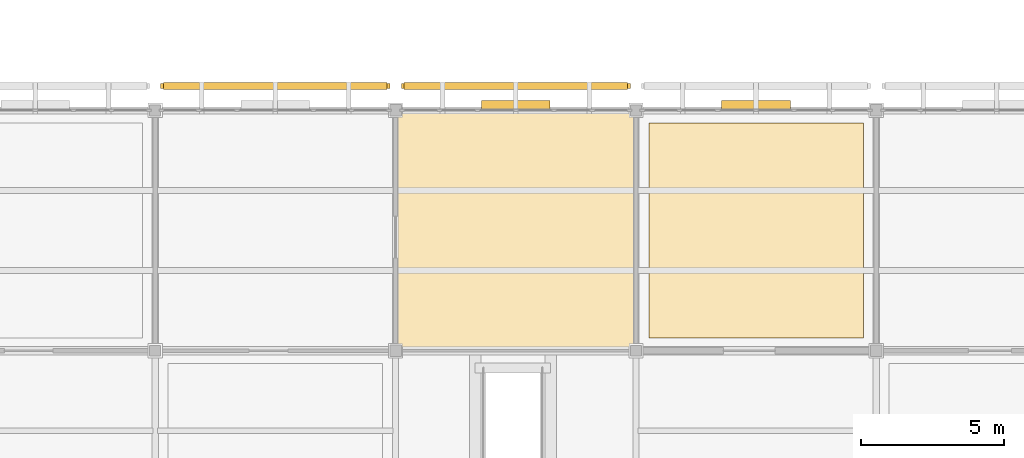
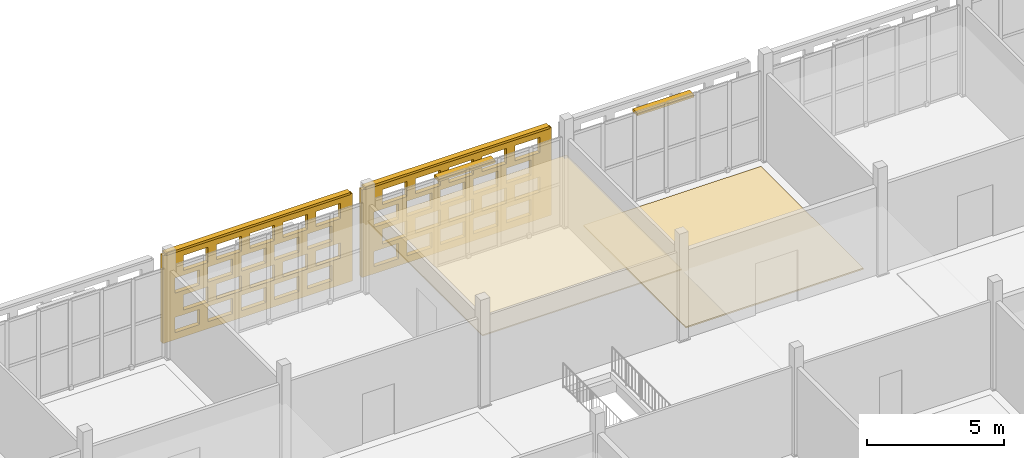
# One storey, part 153 of 203: 4 coverings, 4 shading devices, 40 openings.
"""IFC4 building model written with IfcOpenShell, lengths in metres."""

from ifc_helpers import new_model, si_unit, direction, frame, frame_2d, origin, origin_2d, place, context, subcontext, project, spatial, rectangle, extrude, material, layer, layer_set, type_object, element, save


model = new_model("IFC4")

# Units and contexts
model_context = context("Model", 3, precision=1e-05, world=origin(), true_north=direction((0.0, 1.0)))
body_context = subcontext(model_context, "Body", "Model", "MODEL_VIEW")
ifc_project = project(units=[si_unit("LENGTHUNIT", "METRE"), si_unit("AREAUNIT", "SQUARE_METRE"), si_unit("VOLUMEUNIT", "CUBIC_METRE"), si_unit("PLANEANGLEUNIT", "RADIAN"), si_unit("MASSUNIT", "GRAM", prefix="KILO")], contexts=[model_context])

# Site, building, storey
site_placement = place(None, origin())
site = spatial("IfcSite", under=ifc_project, at=site_placement, CompositionType="ELEMENT")
building_placement = place(site_placement, origin())
building = spatial("IfcBuilding", under=site, at=building_placement, Name="Varnapada Polytechnic", CompositionType="ELEMENT")
storey_placement = place(building_placement, frame((0.0, 0.0, 4.800048828125)))
storey = spatial("IfcBuildingStorey", under=building, at=storey_placement, Name="L01", CompositionType="ELEMENT", Elevation=4.800048828125)

# Covering
ifc_material_1 = material(Name="Anti-Static Raised Laboratory Flooring")
ifc_layer_1 = layer(ifc_material_1, 0.06005859375)
ifc_layer_set_1 = layer_set([ifc_layer_1], Name="Anti-Static Raised Laboratory Flooring")
covering_type_1 = type_object("IfcCoveringType", Name="Floor Finish FLR-02", PredefinedType="FLOORING", material=ifc_layer_set_1)
covering_1_placement = place(storey_placement, frame((88.199951171875, 37.800048828125, 0.0), z_axis=(0.0, 0.0, 1.0), x_axis=(1.0, 0.0, 0.0)))
element("IfcCovering", 1, at=covering_1_placement, inside=storey, type_object=covering_type_1, Name="L01 floor finish panel (11,5)", PredefinedType="FLOORING", context=body_context, shape_type="SweptSolid", body=[
    extrude(rectangle(XDim=7.5, YDim=7.5, at=origin_2d()), origin(), (0.0, 0.0, 1.0), 0.06005859375),
])

# Shading devices
ifc_material_2 = material(Name="Anodised aluminium", Category="aluminium")
ifc_layer_2 = layer(ifc_material_2, 0.35009765625)
ifc_layer_set_2 = layer_set([ifc_layer_2], Name="Anodised aluminium")
shading_device_type_1 = type_object("IfcShadingDeviceType", Name="Solar Louvre LVR-01", PredefinedType="JALOUSIE", material=ifc_layer_set_2)
for number, where, z_axis, x_axis, name in (
    (2, (79.804931640625, 42.179931640625, 3.760009765625), (0.0, 0.0, 1.0), (1.0, 0.0, 0.0), "L01 aluminium sun louvre 67"),
    (3, (88.195068359375, 42.179931640625, 3.760009765625), (0.0, 0.0, 1.0), (1.0, 0.0, 0.0), "L01 aluminium sun louvre 73"),
):
    element("IfcShadingDevice", number, at=place(storey_placement, frame(where, z_axis=z_axis, x_axis=x_axis)), inside=storey, type_object=shading_device_type_1, Name=name, PredefinedType="JALOUSIE", context=body_context, shape_type="SweptSolid", body=[
        extrude(rectangle(XDim=2.39990234375, YDim=0.340087890625, at=origin_2d()), origin(), (0.0, 0.0, 1.0), 0.1201171875),
    ])

# Covering
ifc_material_3 = material(Name="Perforated Timber Slatted Baffle Ceiling", Category="wood")
ifc_layer_3 = layer(ifc_material_3, 0.050048828125)
ifc_layer_set_3 = layer_set([ifc_layer_3], Name="Perforated Timber Slatted Baffle Ceiling")
covering_type_2 = type_object("IfcCoveringType", Name="Suspended Ceiling CLG-02", PredefinedType="CEILING", material=ifc_layer_set_3)
covering_2_placement = place(storey_placement, frame((79.800048828125, 37.800048828125, 3.02490234375), z_axis=(0.0, 0.0, 1.0), x_axis=(1.0, 0.0, 0.0)))
element("IfcCovering", 4, at=covering_2_placement, inside=storey, type_object=covering_type_2, Name="L01 suspended acoustic ceiling (10,5)", PredefinedType="CEILING", context=body_context, shape_type="SweptSolid", body=[
    extrude(rectangle(XDim=8.419921875, YDim=8.419921875, at=origin_2d()), origin(), (0.0, 0.0, 1.0), 0.050048828125),
])

# Covering, openings
ifc_material_4 = material(Name="Earth-toned architectural terracotta screen block", Category="masonry")
ifc_layer_4 = layer(ifc_material_4, 0.1201171875)
ifc_layer_set_4 = layer_set([ifc_layer_4], Name="Earth-toned architectural terracotta screen block")
covering_type_3 = type_object("IfcCoveringType", Name="Terracotta Screen Cladding CLD-01", PredefinedType="CLADDING", material=ifc_layer_set_4)
covering_3_placement = place(storey_placement, frame((67.389892578125, 42.85009765625, 0.0), z_axis=(0.0, 0.0, 1.0), x_axis=(1.0, 0.0, 0.0)))
covering_3 = element("IfcCovering", 5, at=covering_3_placement, inside=storey, type_object=covering_type_3, Name="L01 perforated terracotta block screen (61)", PredefinedType="CLADDING", context=body_context, shape_type="SweptSolid", body=[
    extrude(rectangle(XDim=8.010009765625, YDim=0.179931640625, at=frame_2d((4.0048828125, 0.0))), origin(), (0.0, 0.0, 1.0), 3.919921875),
])
opening_1_placement = place(covering_3_placement, frame((0.5048828125, 0.0, 0.313720703125)))
element("IfcOpeningElement", 6, at=opening_1_placement, cuts=covering_3, Name="Screen perforation TBS-L01-060.1", PredefinedType="OPENING", context=body_context, shape_type="SweptSolid", body=[
    extrude(rectangle(XDim=1.0400390625, YDim=0.679931640625, at=frame_2d((0.52001953125, 0.33984375))), frame((0.0, 0.099853515625, 0.0), z_axis=(0.0, -1.0, 0.0), x_axis=(1.0, 0.0, 0.0)), (0.0, 0.0, 1.0), 0.199951171875),
])
opening_2_placement = place(covering_3_placement, frame((1.905029296875, 0.0, 0.313720703125)))
element("IfcOpeningElement", 7, at=opening_2_placement, cuts=covering_3, Name="Screen perforation TBS-L01-060.2", PredefinedType="OPENING", context=body_context, shape_type="SweptSolid", body=[
    extrude(rectangle(XDim=1.0400390625, YDim=0.679931640625, at=frame_2d((0.52001953125, 0.33984375))), frame((0.0, 0.099853515625, 0.0), z_axis=(0.0, -1.0, 0.0), x_axis=(1.0, 0.0, 0.0)), (0.0, 0.0, 1.0), 0.199951171875),
])
opening_3_placement = place(covering_3_placement, frame((3.304931640625, 0.0, 0.313720703125)))
element("IfcOpeningElement", 8, at=opening_3_placement, cuts=covering_3, Name="Screen perforation TBS-L01-060.3", PredefinedType="OPENING", context=body_context, shape_type="SweptSolid", body=[
    extrude(rectangle(XDim=1.0400390625, YDim=0.679931640625, at=frame_2d((0.52001953125, 0.33984375))), frame((0.0, 0.099853515625, 0.0), z_axis=(0.0, -1.0, 0.0), x_axis=(1.0, 0.0, 0.0)), (0.0, 0.0, 1.0), 0.199951171875),
])
opening_4_placement = place(covering_3_placement, frame((4.705078125, 0.0, 0.313720703125)))
element("IfcOpeningElement", 9, at=opening_4_placement, cuts=covering_3, Name="Screen perforation TBS-L01-060.4", PredefinedType="OPENING", context=body_context, shape_type="SweptSolid", body=[
    extrude(rectangle(XDim=1.0400390625, YDim=0.679931640625, at=frame_2d((0.52001953125, 0.33984375))), frame((0.0, 0.099853515625, 0.0), z_axis=(0.0, -1.0, 0.0), x_axis=(1.0, 0.0, 0.0)), (0.0, 0.0, 1.0), 0.199951171875),
])
opening_5_placement = place(covering_3_placement, frame((6.10498046875, 0.0, 0.313720703125)))
element("IfcOpeningElement", 10, at=opening_5_placement, cuts=covering_3, Name="Screen perforation TBS-L01-060.5", PredefinedType="OPENING", context=body_context, shape_type="SweptSolid", body=[
    extrude(rectangle(XDim=1.0400390625, YDim=0.679931640625, at=frame_2d((0.52001953125, 0.33984375))), frame((0.0, 0.099853515625, 0.0), z_axis=(0.0, -1.0, 0.0), x_axis=(1.0, 0.0, 0.0)), (0.0, 0.0, 1.0), 0.199951171875),
])
opening_6_placement = place(covering_3_placement, frame((0.864990234375, 0.0, 1.195556640625)))
element("IfcOpeningElement", 11, at=opening_6_placement, cuts=covering_3, Name="Screen perforation TBS-L01-060.6", PredefinedType="OPENING", context=body_context, shape_type="SweptSolid", body=[
    extrude(rectangle(XDim=1.0400390625, YDim=0.679931640625, at=frame_2d((0.52001953125, 0.33984375))), frame((0.0, 0.099853515625, 0.0), z_axis=(0.0, -1.0, 0.0), x_axis=(1.0, 0.0, 0.0)), (0.0, 0.0, 1.0), 0.199951171875),
])
opening_7_placement = place(covering_3_placement, frame((2.264892578125, 0.0, 1.195556640625)))
element("IfcOpeningElement", 12, at=opening_7_placement, cuts=covering_3, Name="Screen perforation TBS-L01-060.7", PredefinedType="OPENING", context=body_context, shape_type="SweptSolid", body=[
    extrude(rectangle(XDim=1.0400390625, YDim=0.679931640625, at=frame_2d((0.52001953125, 0.33984375))), frame((0.0, 0.099853515625, 0.0), z_axis=(0.0, -1.0, 0.0), x_axis=(1.0, 0.0, 0.0)), (0.0, 0.0, 1.0), 0.199951171875),
])
opening_8_placement = place(covering_3_placement, frame((3.6650390625, 0.0, 1.195556640625)))
element("IfcOpeningElement", 13, at=opening_8_placement, cuts=covering_3, Name="Screen perforation TBS-L01-060.8", PredefinedType="OPENING", context=body_context, shape_type="SweptSolid", body=[
    extrude(rectangle(XDim=1.0400390625, YDim=0.679931640625, at=frame_2d((0.52001953125, 0.33984375))), frame((0.0, 0.099853515625, 0.0), z_axis=(0.0, -1.0, 0.0), x_axis=(1.0, 0.0, 0.0)), (0.0, 0.0, 1.0), 0.199951171875),
])
opening_9_placement = place(covering_3_placement, frame((5.06494140625, 0.0, 1.195556640625)))
element("IfcOpeningElement", 14, at=opening_9_placement, cuts=covering_3, Name="Screen perforation TBS-L01-060.9", PredefinedType="OPENING", context=body_context, shape_type="SweptSolid", body=[
    extrude(rectangle(XDim=1.0400390625, YDim=0.679931640625, at=frame_2d((0.52001953125, 0.33984375))), frame((0.0, 0.099853515625, 0.0), z_axis=(0.0, -1.0, 0.0), x_axis=(1.0, 0.0, 0.0)), (0.0, 0.0, 1.0), 0.199951171875),
])
opening_10_placement = place(covering_3_placement, frame((6.465087890625, 0.0, 1.195556640625)))
element("IfcOpeningElement", 15, at=opening_10_placement, cuts=covering_3, Name="Screen perforation TBS-L01-060.10", PredefinedType="OPENING", context=body_context, shape_type="SweptSolid", body=[
    extrude(rectangle(XDim=1.0400390625, YDim=0.679931640625, at=frame_2d((0.52001953125, 0.33984375))), frame((0.0, 0.099853515625, 0.0), z_axis=(0.0, -1.0, 0.0), x_axis=(1.0, 0.0, 0.0)), (0.0, 0.0, 1.0), 0.199951171875),
])
opening_11_placement = place(covering_3_placement, frame((0.5048828125, 0.0, 2.07763671875)))
element("IfcOpeningElement", 16, at=opening_11_placement, cuts=covering_3, Name="Screen perforation TBS-L01-060.11", PredefinedType="OPENING", context=body_context, shape_type="SweptSolid", body=[
    extrude(rectangle(XDim=1.0400390625, YDim=0.679931640625, at=frame_2d((0.52001953125, 0.33984375))), frame((0.0, 0.099853515625, 0.0), z_axis=(0.0, -1.0, 0.0), x_axis=(1.0, 0.0, 0.0)), (0.0, 0.0, 1.0), 0.199951171875),
])
opening_12_placement = place(covering_3_placement, frame((1.905029296875, 0.0, 2.07763671875)))
element("IfcOpeningElement", 17, at=opening_12_placement, cuts=covering_3, Name="Screen perforation TBS-L01-060.12", PredefinedType="OPENING", context=body_context, shape_type="SweptSolid", body=[
    extrude(rectangle(XDim=1.0400390625, YDim=0.679931640625, at=frame_2d((0.52001953125, 0.33984375))), frame((0.0, 0.099853515625, 0.0), z_axis=(0.0, -1.0, 0.0), x_axis=(1.0, 0.0, 0.0)), (0.0, 0.0, 1.0), 0.199951171875),
])
opening_13_placement = place(covering_3_placement, frame((3.304931640625, 0.0, 2.07763671875)))
element("IfcOpeningElement", 18, at=opening_13_placement, cuts=covering_3, Name="Screen perforation TBS-L01-060.13", PredefinedType="OPENING", context=body_context, shape_type="SweptSolid", body=[
    extrude(rectangle(XDim=1.0400390625, YDim=0.679931640625, at=frame_2d((0.52001953125, 0.33984375))), frame((0.0, 0.099853515625, 0.0), z_axis=(0.0, -1.0, 0.0), x_axis=(1.0, 0.0, 0.0)), (0.0, 0.0, 1.0), 0.199951171875),
])
opening_14_placement = place(covering_3_placement, frame((4.705078125, 0.0, 2.07763671875)))
element("IfcOpeningElement", 19, at=opening_14_placement, cuts=covering_3, Name="Screen perforation TBS-L01-060.14", PredefinedType="OPENING", context=body_context, shape_type="SweptSolid", body=[
    extrude(rectangle(XDim=1.0400390625, YDim=0.679931640625, at=frame_2d((0.52001953125, 0.33984375))), frame((0.0, 0.099853515625, 0.0), z_axis=(0.0, -1.0, 0.0), x_axis=(1.0, 0.0, 0.0)), (0.0, 0.0, 1.0), 0.199951171875),
])
opening_15_placement = place(covering_3_placement, frame((6.10498046875, 0.0, 2.07763671875)))
element("IfcOpeningElement", 20, at=opening_15_placement, cuts=covering_3, Name="Screen perforation TBS-L01-060.15", PredefinedType="OPENING", context=body_context, shape_type="SweptSolid", body=[
    extrude(rectangle(XDim=1.0400390625, YDim=0.679931640625, at=frame_2d((0.52001953125, 0.33984375))), frame((0.0, 0.099853515625, 0.0), z_axis=(0.0, -1.0, 0.0), x_axis=(1.0, 0.0, 0.0)), (0.0, 0.0, 1.0), 0.199951171875),
])
opening_16_placement = place(covering_3_placement, frame((0.864990234375, 0.0, 2.959716796875)))
element("IfcOpeningElement", 21, at=opening_16_placement, cuts=covering_3, Name="Screen perforation TBS-L01-060.16", PredefinedType="OPENING", context=body_context, shape_type="SweptSolid", body=[
    extrude(rectangle(XDim=1.0400390625, YDim=0.679931640625, at=frame_2d((0.52001953125, 0.33984375))), frame((0.0, 0.099853515625, 0.0), z_axis=(0.0, -1.0, 0.0), x_axis=(1.0, 0.0, 0.0)), (0.0, 0.0, 1.0), 0.199951171875),
])
opening_17_placement = place(covering_3_placement, frame((2.264892578125, 0.0, 2.959716796875)))
element("IfcOpeningElement", 22, at=opening_17_placement, cuts=covering_3, Name="Screen perforation TBS-L01-060.17", PredefinedType="OPENING", context=body_context, shape_type="SweptSolid", body=[
    extrude(rectangle(XDim=1.0400390625, YDim=0.679931640625, at=frame_2d((0.52001953125, 0.33984375))), frame((0.0, 0.099853515625, 0.0), z_axis=(0.0, -1.0, 0.0), x_axis=(1.0, 0.0, 0.0)), (0.0, 0.0, 1.0), 0.199951171875),
])
opening_18_placement = place(covering_3_placement, frame((3.6650390625, 0.0, 2.959716796875)))
element("IfcOpeningElement", 23, at=opening_18_placement, cuts=covering_3, Name="Screen perforation TBS-L01-060.18", PredefinedType="OPENING", context=body_context, shape_type="SweptSolid", body=[
    extrude(rectangle(XDim=1.0400390625, YDim=0.679931640625, at=frame_2d((0.52001953125, 0.33984375))), frame((0.0, 0.099853515625, 0.0), z_axis=(0.0, -1.0, 0.0), x_axis=(1.0, 0.0, 0.0)), (0.0, 0.0, 1.0), 0.199951171875),
])
opening_19_placement = place(covering_3_placement, frame((5.06494140625, 0.0, 2.959716796875)))
element("IfcOpeningElement", 24, at=opening_19_placement, cuts=covering_3, Name="Screen perforation TBS-L01-060.19", PredefinedType="OPENING", context=body_context, shape_type="SweptSolid", body=[
    extrude(rectangle(XDim=1.0400390625, YDim=0.679931640625, at=frame_2d((0.52001953125, 0.33984375))), frame((0.0, 0.099853515625, 0.0), z_axis=(0.0, -1.0, 0.0), x_axis=(1.0, 0.0, 0.0)), (0.0, 0.0, 1.0), 0.199951171875),
])
opening_20_placement = place(covering_3_placement, frame((6.465087890625, 0.0, 2.959716796875)))
element("IfcOpeningElement", 25, at=opening_20_placement, cuts=covering_3, Name="Screen perforation TBS-L01-060.20", PredefinedType="OPENING", context=body_context, shape_type="SweptSolid", body=[
    extrude(rectangle(XDim=1.0400390625, YDim=0.679931640625, at=frame_2d((0.52001953125, 0.33984375))), frame((0.0, 0.099853515625, 0.0), z_axis=(0.0, -1.0, 0.0), x_axis=(1.0, 0.0, 0.0)), (0.0, 0.0, 1.0), 0.199951171875),
])

covering_4_placement = place(storey_placement, frame((75.800048828125, 42.85009765625, 0.0), z_axis=(0.0, 0.0, 1.0), x_axis=(1.0, 0.0, 0.0)))
covering_4 = element("IfcCovering", 26, at=covering_4_placement, inside=storey, type_object=covering_type_3, Name="L01 perforated terracotta block screen (67)", PredefinedType="CLADDING", context=body_context, shape_type="SweptSolid", body=[
    extrude(rectangle(XDim=8.010009765625, YDim=0.179931640625, at=frame_2d((4.0048828125, 0.0))), origin(), (0.0, 0.0, 1.0), 3.919921875),
])
opening_21_placement = place(covering_4_placement, frame((0.5048828125, 0.0, 0.313720703125)))
element("IfcOpeningElement", 27, at=opening_21_placement, cuts=covering_4, Name="Screen perforation TBS-L01-066.1", PredefinedType="OPENING", context=body_context, shape_type="SweptSolid", body=[
    extrude(rectangle(XDim=1.0400390625, YDim=0.679931640625, at=frame_2d((0.52001953125, 0.33984375))), frame((0.0, 0.099853515625, 0.0), z_axis=(0.0, -1.0, 0.0), x_axis=(1.0, 0.0, 0.0)), (0.0, 0.0, 1.0), 0.199951171875),
])
opening_22_placement = place(covering_4_placement, frame((1.905029296875, 0.0, 0.313720703125)))
element("IfcOpeningElement", 28, at=opening_22_placement, cuts=covering_4, Name="Screen perforation TBS-L01-066.2", PredefinedType="OPENING", context=body_context, shape_type="SweptSolid", body=[
    extrude(rectangle(XDim=1.0400390625, YDim=0.679931640625, at=frame_2d((0.52001953125, 0.33984375))), frame((0.0, 0.099853515625, 0.0), z_axis=(0.0, -1.0, 0.0), x_axis=(1.0, 0.0, 0.0)), (0.0, 0.0, 1.0), 0.199951171875),
])
opening_23_placement = place(covering_4_placement, frame((3.304931640625, 0.0, 0.313720703125)))
element("IfcOpeningElement", 29, at=opening_23_placement, cuts=covering_4, Name="Screen perforation TBS-L01-066.3", PredefinedType="OPENING", context=body_context, shape_type="SweptSolid", body=[
    extrude(rectangle(XDim=1.0400390625, YDim=0.679931640625, at=frame_2d((0.52001953125, 0.33984375))), frame((0.0, 0.099853515625, 0.0), z_axis=(0.0, -1.0, 0.0), x_axis=(1.0, 0.0, 0.0)), (0.0, 0.0, 1.0), 0.199951171875),
])
opening_24_placement = place(covering_4_placement, frame((4.705078125, 0.0, 0.313720703125)))
element("IfcOpeningElement", 30, at=opening_24_placement, cuts=covering_4, Name="Screen perforation TBS-L01-066.4", PredefinedType="OPENING", context=body_context, shape_type="SweptSolid", body=[
    extrude(rectangle(XDim=1.0400390625, YDim=0.679931640625, at=frame_2d((0.52001953125, 0.33984375))), frame((0.0, 0.099853515625, 0.0), z_axis=(0.0, -1.0, 0.0), x_axis=(1.0, 0.0, 0.0)), (0.0, 0.0, 1.0), 0.199951171875),
])
opening_25_placement = place(covering_4_placement, frame((6.10498046875, 0.0, 0.313720703125)))
element("IfcOpeningElement", 31, at=opening_25_placement, cuts=covering_4, Name="Screen perforation TBS-L01-066.5", PredefinedType="OPENING", context=body_context, shape_type="SweptSolid", body=[
    extrude(rectangle(XDim=1.0400390625, YDim=0.679931640625, at=frame_2d((0.52001953125, 0.33984375))), frame((0.0, 0.099853515625, 0.0), z_axis=(0.0, -1.0, 0.0), x_axis=(1.0, 0.0, 0.0)), (0.0, 0.0, 1.0), 0.199951171875),
])
opening_26_placement = place(covering_4_placement, frame((0.864990234375, 0.0, 1.195556640625)))
element("IfcOpeningElement", 32, at=opening_26_placement, cuts=covering_4, Name="Screen perforation TBS-L01-066.6", PredefinedType="OPENING", context=body_context, shape_type="SweptSolid", body=[
    extrude(rectangle(XDim=1.0400390625, YDim=0.679931640625, at=frame_2d((0.52001953125, 0.33984375))), frame((0.0, 0.099853515625, 0.0), z_axis=(0.0, -1.0, 0.0), x_axis=(1.0, 0.0, 0.0)), (0.0, 0.0, 1.0), 0.199951171875),
])
opening_27_placement = place(covering_4_placement, frame((2.264892578125, 0.0, 1.195556640625)))
element("IfcOpeningElement", 33, at=opening_27_placement, cuts=covering_4, Name="Screen perforation TBS-L01-066.7", PredefinedType="OPENING", context=body_context, shape_type="SweptSolid", body=[
    extrude(rectangle(XDim=1.0400390625, YDim=0.679931640625, at=frame_2d((0.52001953125, 0.33984375))), frame((0.0, 0.099853515625, 0.0), z_axis=(0.0, -1.0, 0.0), x_axis=(1.0, 0.0, 0.0)), (0.0, 0.0, 1.0), 0.199951171875),
])
opening_28_placement = place(covering_4_placement, frame((3.6650390625, 0.0, 1.195556640625)))
element("IfcOpeningElement", 34, at=opening_28_placement, cuts=covering_4, Name="Screen perforation TBS-L01-066.8", PredefinedType="OPENING", context=body_context, shape_type="SweptSolid", body=[
    extrude(rectangle(XDim=1.0400390625, YDim=0.679931640625, at=frame_2d((0.52001953125, 0.33984375))), frame((0.0, 0.099853515625, 0.0), z_axis=(0.0, -1.0, 0.0), x_axis=(1.0, 0.0, 0.0)), (0.0, 0.0, 1.0), 0.199951171875),
])
opening_29_placement = place(covering_4_placement, frame((5.06494140625, 0.0, 1.195556640625)))
element("IfcOpeningElement", 35, at=opening_29_placement, cuts=covering_4, Name="Screen perforation TBS-L01-066.9", PredefinedType="OPENING", context=body_context, shape_type="SweptSolid", body=[
    extrude(rectangle(XDim=1.0400390625, YDim=0.679931640625, at=frame_2d((0.52001953125, 0.33984375))), frame((0.0, 0.099853515625, 0.0), z_axis=(0.0, -1.0, 0.0), x_axis=(1.0, 0.0, 0.0)), (0.0, 0.0, 1.0), 0.199951171875),
])
opening_30_placement = place(covering_4_placement, frame((6.465087890625, 0.0, 1.195556640625)))
element("IfcOpeningElement", 36, at=opening_30_placement, cuts=covering_4, Name="Screen perforation TBS-L01-066.10", PredefinedType="OPENING", context=body_context, shape_type="SweptSolid", body=[
    extrude(rectangle(XDim=1.0400390625, YDim=0.679931640625, at=frame_2d((0.52001953125, 0.33984375))), frame((0.0, 0.099853515625, 0.0), z_axis=(0.0, -1.0, 0.0), x_axis=(1.0, 0.0, 0.0)), (0.0, 0.0, 1.0), 0.199951171875),
])
opening_31_placement = place(covering_4_placement, frame((0.5048828125, 0.0, 2.07763671875)))
element("IfcOpeningElement", 37, at=opening_31_placement, cuts=covering_4, Name="Screen perforation TBS-L01-066.11", PredefinedType="OPENING", context=body_context, shape_type="SweptSolid", body=[
    extrude(rectangle(XDim=1.0400390625, YDim=0.679931640625, at=frame_2d((0.52001953125, 0.33984375))), frame((0.0, 0.099853515625, 0.0), z_axis=(0.0, -1.0, 0.0), x_axis=(1.0, 0.0, 0.0)), (0.0, 0.0, 1.0), 0.199951171875),
])
opening_32_placement = place(covering_4_placement, frame((1.905029296875, 0.0, 2.07763671875)))
element("IfcOpeningElement", 38, at=opening_32_placement, cuts=covering_4, Name="Screen perforation TBS-L01-066.12", PredefinedType="OPENING", context=body_context, shape_type="SweptSolid", body=[
    extrude(rectangle(XDim=1.0400390625, YDim=0.679931640625, at=frame_2d((0.52001953125, 0.33984375))), frame((0.0, 0.099853515625, 0.0), z_axis=(0.0, -1.0, 0.0), x_axis=(1.0, 0.0, 0.0)), (0.0, 0.0, 1.0), 0.199951171875),
])
opening_33_placement = place(covering_4_placement, frame((3.304931640625, 0.0, 2.07763671875)))
element("IfcOpeningElement", 39, at=opening_33_placement, cuts=covering_4, Name="Screen perforation TBS-L01-066.13", PredefinedType="OPENING", context=body_context, shape_type="SweptSolid", body=[
    extrude(rectangle(XDim=1.0400390625, YDim=0.679931640625, at=frame_2d((0.52001953125, 0.33984375))), frame((0.0, 0.099853515625, 0.0), z_axis=(0.0, -1.0, 0.0), x_axis=(1.0, 0.0, 0.0)), (0.0, 0.0, 1.0), 0.199951171875),
])
opening_34_placement = place(covering_4_placement, frame((4.705078125, 0.0, 2.07763671875)))
element("IfcOpeningElement", 40, at=opening_34_placement, cuts=covering_4, Name="Screen perforation TBS-L01-066.14", PredefinedType="OPENING", context=body_context, shape_type="SweptSolid", body=[
    extrude(rectangle(XDim=1.0400390625, YDim=0.679931640625, at=frame_2d((0.52001953125, 0.33984375))), frame((0.0, 0.099853515625, 0.0), z_axis=(0.0, -1.0, 0.0), x_axis=(1.0, 0.0, 0.0)), (0.0, 0.0, 1.0), 0.199951171875),
])
opening_35_placement = place(covering_4_placement, frame((6.10498046875, 0.0, 2.07763671875)))
element("IfcOpeningElement", 41, at=opening_35_placement, cuts=covering_4, Name="Screen perforation TBS-L01-066.15", PredefinedType="OPENING", context=body_context, shape_type="SweptSolid", body=[
    extrude(rectangle(XDim=1.0400390625, YDim=0.679931640625, at=frame_2d((0.52001953125, 0.33984375))), frame((0.0, 0.099853515625, 0.0), z_axis=(0.0, -1.0, 0.0), x_axis=(1.0, 0.0, 0.0)), (0.0, 0.0, 1.0), 0.199951171875),
])
opening_36_placement = place(covering_4_placement, frame((0.864990234375, 0.0, 2.959716796875)))
element("IfcOpeningElement", 42, at=opening_36_placement, cuts=covering_4, Name="Screen perforation TBS-L01-066.16", PredefinedType="OPENING", context=body_context, shape_type="SweptSolid", body=[
    extrude(rectangle(XDim=1.0400390625, YDim=0.679931640625, at=frame_2d((0.52001953125, 0.33984375))), frame((0.0, 0.099853515625, 0.0), z_axis=(0.0, -1.0, 0.0), x_axis=(1.0, 0.0, 0.0)), (0.0, 0.0, 1.0), 0.199951171875),
])
opening_37_placement = place(covering_4_placement, frame((2.264892578125, 0.0, 2.959716796875)))
element("IfcOpeningElement", 43, at=opening_37_placement, cuts=covering_4, Name="Screen perforation TBS-L01-066.17", PredefinedType="OPENING", context=body_context, shape_type="SweptSolid", body=[
    extrude(rectangle(XDim=1.0400390625, YDim=0.679931640625, at=frame_2d((0.52001953125, 0.33984375))), frame((0.0, 0.099853515625, 0.0), z_axis=(0.0, -1.0, 0.0), x_axis=(1.0, 0.0, 0.0)), (0.0, 0.0, 1.0), 0.199951171875),
])
opening_38_placement = place(covering_4_placement, frame((3.6650390625, 0.0, 2.959716796875)))
element("IfcOpeningElement", 44, at=opening_38_placement, cuts=covering_4, Name="Screen perforation TBS-L01-066.18", PredefinedType="OPENING", context=body_context, shape_type="SweptSolid", body=[
    extrude(rectangle(XDim=1.0400390625, YDim=0.679931640625, at=frame_2d((0.52001953125, 0.33984375))), frame((0.0, 0.099853515625, 0.0), z_axis=(0.0, -1.0, 0.0), x_axis=(1.0, 0.0, 0.0)), (0.0, 0.0, 1.0), 0.199951171875),
])
opening_39_placement = place(covering_4_placement, frame((5.06494140625, 0.0, 2.959716796875)))
element("IfcOpeningElement", 45, at=opening_39_placement, cuts=covering_4, Name="Screen perforation TBS-L01-066.19", PredefinedType="OPENING", context=body_context, shape_type="SweptSolid", body=[
    extrude(rectangle(XDim=1.0400390625, YDim=0.679931640625, at=frame_2d((0.52001953125, 0.33984375))), frame((0.0, 0.099853515625, 0.0), z_axis=(0.0, -1.0, 0.0), x_axis=(1.0, 0.0, 0.0)), (0.0, 0.0, 1.0), 0.199951171875),
])
opening_40_placement = place(covering_4_placement, frame((6.465087890625, 0.0, 2.959716796875)))
element("IfcOpeningElement", 46, at=opening_40_placement, cuts=covering_4, Name="Screen perforation TBS-L01-066.20", PredefinedType="OPENING", context=body_context, shape_type="SweptSolid", body=[
    extrude(rectangle(XDim=1.0400390625, YDim=0.679931640625, at=frame_2d((0.52001953125, 0.33984375))), frame((0.0, 0.099853515625, 0.0), z_axis=(0.0, -1.0, 0.0), x_axis=(1.0, 0.0, 0.0)), (0.0, 0.0, 1.0), 0.199951171875),
])

# Shading devices
ifc_layer_5 = layer(ifc_material_4, 0.179931640625)
ifc_layer_set_5 = layer_set([ifc_layer_5], Name="Earth-toned architectural terracotta screen block")
shading_device_type_2 = type_object("IfcShadingDeviceType", Name="Terracotta Screen SCR-02", PredefinedType="USERDEFINED", material=ifc_layer_set_5)
for number, where, z_axis, x_axis, name in (
    (47, (71.39501953125, 42.85009765625, 3.909912109375), (0.0, 0.0, 1.0), (1.0, 0.0, 0.0), "L01 perforated terracotta screen hood 140"),
    (48, (79.804931640625, 42.85009765625, 3.909912109375), (0.0, 0.0, 1.0), (1.0, 0.0, 0.0), "L01 perforated terracotta screen hood 146"),
):
    element("IfcShadingDevice", number, at=place(storey_placement, frame(where, z_axis=z_axis, x_axis=x_axis)), inside=storey, type_object=shading_device_type_2, Name=name, ObjectType="SCREEN", PredefinedType="USERDEFINED", context=body_context, shape_type="SweptSolid", body=[
        extrude(rectangle(XDim=7.81005859375, YDim=0.239990234375, at=origin_2d()), origin(), (0.0, 0.0, 1.0), 0.10009765625),
    ])

save(model, "model.ifc")
